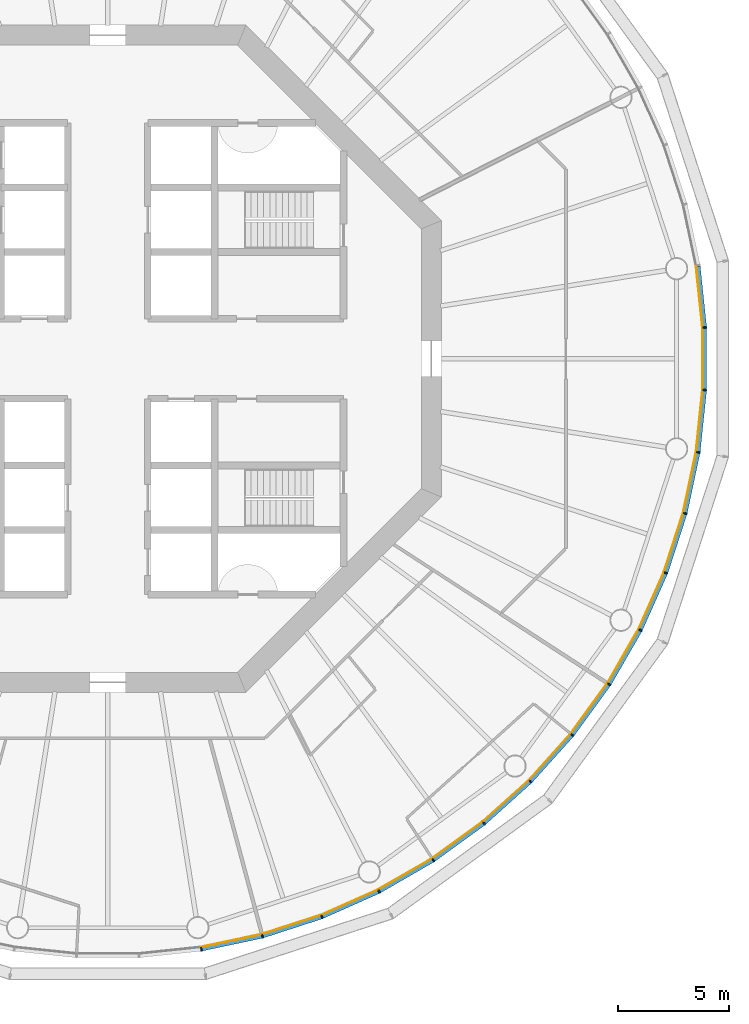
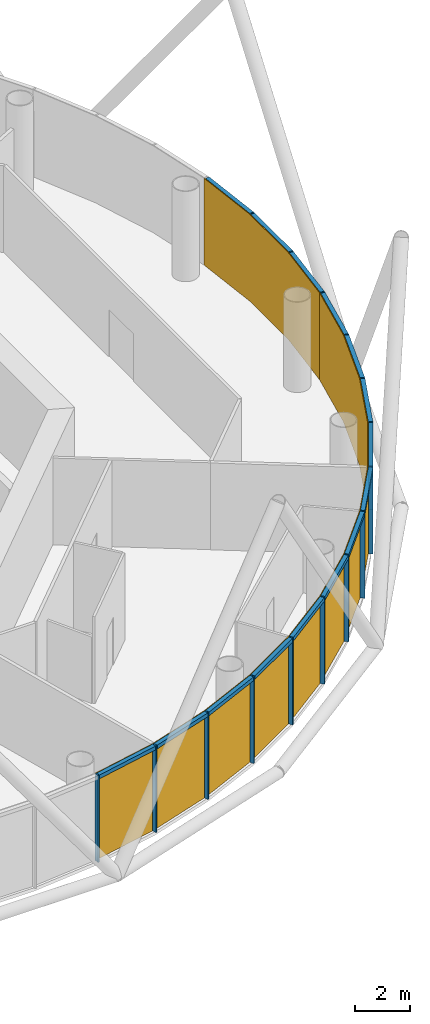
# One storey, part 9 of 13: 30 members, 5 curtain walls.
"""IFC4 building model written with IfcOpenShell, lengths in metres."""

from ifc_helpers import new_model, si_unit, direction, frame, origin, origin_2d, place, context, subcontext, project, spatial, polyline, rectangle, outline, extrude, material, layer, layer_set, material_profile, profile_set, type_object, element, aggregate, save


model = new_model("IFC4")

# Units and contexts
model_context = context("Model", 3, precision=1e-05, world=origin(), true_north=direction((0.0, 1.0)))
body_context = subcontext(model_context, "Body", "Model", "MODEL_VIEW")
ifc_project = project(units=[si_unit("LENGTHUNIT", "METRE"), si_unit("AREAUNIT", "SQUARE_METRE"), si_unit("VOLUMEUNIT", "CUBIC_METRE"), si_unit("PLANEANGLEUNIT", "RADIAN"), si_unit("MASSUNIT", "GRAM", prefix="KILO")], contexts=[model_context])

# Member
ifc_material_1 = material(Name="Anodised aluminium", Category="aluminium")
ifc_material_profile_1 = material_profile(ifc_material_1, rectangle(XDim=0.06005859375, YDim=0.169921875, at=origin_2d()), Name="Mullion 60 x 170 mm anodised aluminium")
ifc_profile_set_1 = profile_set([ifc_material_profile_1], Name="Anodised aluminium")
member_type_1 = type_object("IfcMemberType", Name="Mullion 60 x 170 mm anodised aluminium", PredefinedType="MULLION", material=ifc_profile_set_1)
site_placement = place(None, origin())
building_placement = place(site_placement, origin())
storey_placement = place(building_placement, frame((0.0, 0.0, 218.0)))
member_1_placement = place(storey_placement, frame((94.205810546875, 53.446044921875, 0.0), z_axis=(0.0, 0.0, 1.0), x_axis=(0.987688340595, 0.15643446504, 0.0)))
member_1 = element("IfcMember", 1, at=member_1_placement, type_object=member_type_1, Name="MULLION L50-45", PredefinedType="MULLION", context=body_context, shape_type="SweptSolid", body=[
    extrude(rectangle(XDim=0.06005859375, YDim=0.169921875, at=origin_2d()), origin(), (0.0, 0.0, 1.0), 3.85009765625),
])

member_2_placement = place(storey_placement, frame((96.958251953125, 54.031005859375, 0.0), z_axis=(0.0, 0.0, 1.0), x_axis=(0.965925826289, 0.258819045103, 0.0)))
member_2 = element("IfcMember", 2, at=member_2_placement, type_object=member_type_1, Name="MULLION L50-46", PredefinedType="MULLION", context=body_context, shape_type="SweptSolid", body=[
    extrude(rectangle(XDim=0.06005859375, YDim=0.169921875, at=origin_2d()), origin(), (0.0, 0.0, 1.0), 3.85009765625),
])

member_3_placement = place(storey_placement, frame((99.634765625, 54.900634765625, 0.0), z_axis=(0.0, 0.0, 1.0), x_axis=(0.933580426497, 0.358367949545, 0.0)))
member_3 = element("IfcMember", 3, at=member_3_placement, type_object=member_type_1, Name="MULLION L50-47", PredefinedType="MULLION", context=body_context, shape_type="SweptSolid", body=[
    extrude(rectangle(XDim=0.06005859375, YDim=0.169921875, at=origin_2d()), origin(), (0.0, 0.0, 1.0), 3.85009765625),
])

member_4_placement = place(storey_placement, frame((102.20556640625, 56.04541015625, 0.0), z_axis=(0.0, 0.0, 1.0), x_axis=(0.891006524188, 0.45399049974, 0.0)))
member_4 = element("IfcMember", 4, at=member_4_placement, type_object=member_type_1, Name="MULLION L50-48", PredefinedType="MULLION", context=body_context, shape_type="SweptSolid", body=[
    extrude(rectangle(XDim=0.06005859375, YDim=0.169921875, at=origin_2d()), origin(), (0.0, 0.0, 1.0), 3.85009765625),
])

member_5_placement = place(storey_placement, frame((104.642578125, 57.452392578125, 0.0), z_axis=(0.0, 0.0, 1.0), x_axis=(0.838670567945, 0.544639035015, 0.0)))
member_5 = element("IfcMember", 5, at=member_5_placement, type_object=member_type_1, Name="MULLION L50-49", PredefinedType="MULLION", context=body_context, shape_type="SweptSolid", body=[
    extrude(rectangle(XDim=0.06005859375, YDim=0.169921875, at=origin_2d()), origin(), (0.0, 0.0, 1.0), 3.85009765625),
])

member_6_placement = place(storey_placement, frame((106.919189453125, 59.1064453125, 0.0), z_axis=(0.0, 0.0, 1.0), x_axis=(0.777145961457, 0.62932039105, 0.0)))
member_6 = element("IfcMember", 6, at=member_6_placement, type_object=member_type_1, Name="MULLION L50-50", PredefinedType="MULLION", context=body_context, shape_type="SweptSolid", body=[
    extrude(rectangle(XDim=0.06005859375, YDim=0.169921875, at=origin_2d()), origin(), (0.0, 0.0, 1.0), 3.85009765625),
])

member_7_placement = place(storey_placement, frame((109.010498046875, 60.989501953125, 0.0), z_axis=(0.0, 0.0, 1.0), x_axis=(0.707106781187, 0.707106781187, 0.0)))
member_7 = element("IfcMember", 7, at=member_7_placement, type_object=member_type_1, Name="MULLION L50-51", PredefinedType="MULLION", context=body_context, shape_type="SweptSolid", body=[
    extrude(rectangle(XDim=0.06005859375, YDim=0.169921875, at=origin_2d()), origin(), (0.0, 0.0, 1.0), 3.85009765625),
])

member_8_placement = place(storey_placement, frame((110.8935546875, 63.080810546875, 0.0), z_axis=(0.0, 0.0, 1.0), x_axis=(0.62932039105, 0.777145961457, 0.0)))
member_8 = element("IfcMember", 8, at=member_8_placement, type_object=member_type_1, Name="MULLION L50-52", PredefinedType="MULLION", context=body_context, shape_type="SweptSolid", body=[
    extrude(rectangle(XDim=0.06005859375, YDim=0.169921875, at=origin_2d()), origin(), (0.0, 0.0, 1.0), 3.85009765625),
])

member_9_placement = place(storey_placement, frame((112.547607421875, 65.357421875, 0.0), z_axis=(0.0, 0.0, 1.0), x_axis=(0.544639035015, 0.838670567945, 0.0)))
member_9 = element("IfcMember", 9, at=member_9_placement, type_object=member_type_1, Name="MULLION L50-53", PredefinedType="MULLION", context=body_context, shape_type="SweptSolid", body=[
    extrude(rectangle(XDim=0.06005859375, YDim=0.169921875, at=origin_2d()), origin(), (0.0, 0.0, 1.0), 3.85009765625),
])

member_10_placement = place(storey_placement, frame((113.95458984375, 67.79443359375, 0.0), z_axis=(0.0, 0.0, 1.0), x_axis=(0.45399049974, 0.891006524188, 0.0)))
member_10 = element("IfcMember", 10, at=member_10_placement, type_object=member_type_1, Name="MULLION L50-54", PredefinedType="MULLION", context=body_context, shape_type="SweptSolid", body=[
    extrude(rectangle(XDim=0.06005859375, YDim=0.169921875, at=origin_2d()), origin(), (0.0, 0.0, 1.0), 3.85009765625),
])

member_11_placement = place(storey_placement, frame((115.099365234375, 70.365234375, 0.0), z_axis=(0.0, 0.0, 1.0), x_axis=(0.358367949545, 0.933580426497, 0.0)))
member_11 = element("IfcMember", 11, at=member_11_placement, type_object=member_type_1, Name="MULLION L50-55", PredefinedType="MULLION", context=body_context, shape_type="SweptSolid", body=[
    extrude(rectangle(XDim=0.06005859375, YDim=0.169921875, at=origin_2d()), origin(), (0.0, 0.0, 1.0), 3.85009765625),
])

member_12_placement = place(storey_placement, frame((115.968994140625, 73.041748046875, 0.0), z_axis=(0.0, 0.0, 1.0), x_axis=(0.258819045103, 0.965925826289, 0.0)))
member_12 = element("IfcMember", 12, at=member_12_placement, type_object=member_type_1, Name="MULLION L50-56", PredefinedType="MULLION", context=body_context, shape_type="SweptSolid", body=[
    extrude(rectangle(XDim=0.06005859375, YDim=0.169921875, at=origin_2d()), origin(), (0.0, 0.0, 1.0), 3.85009765625),
])

member_13_placement = place(storey_placement, frame((116.553955078125, 75.794189453125, 0.0), z_axis=(0.0, 0.0, 1.0), x_axis=(0.15643446504, 0.987688340595, 0.0)))
member_13 = element("IfcMember", 13, at=member_13_placement, type_object=member_type_1, Name="MULLION L50-57", PredefinedType="MULLION", context=body_context, shape_type="SweptSolid", body=[
    extrude(rectangle(XDim=0.06005859375, YDim=0.169921875, at=origin_2d()), origin(), (0.0, 0.0, 1.0), 3.85009765625),
])

member_14_placement = place(storey_placement, frame((116.84814453125, 78.593017578125, 0.0), z_axis=(0.0, 0.0, 1.0), x_axis=(0.052335956243, 0.998629534755, 0.0)))
member_14 = element("IfcMember", 14, at=member_14_placement, type_object=member_type_1, Name="MULLION L50-58", PredefinedType="MULLION", context=body_context, shape_type="SweptSolid", body=[
    extrude(rectangle(XDim=0.06005859375, YDim=0.169921875, at=origin_2d()), origin(), (0.0, 0.0, 1.0), 3.85009765625),
])

member_15_placement = place(storey_placement, frame((116.84814453125, 81.406982421875, 0.0), z_axis=(0.0, 0.0, 1.0), x_axis=(-0.052335956243, 0.998629534755, 0.0)))
member_15 = element("IfcMember", 15, at=member_15_placement, type_object=member_type_1, Name="MULLION L50-59", PredefinedType="MULLION", context=body_context, shape_type="SweptSolid", body=[
    extrude(rectangle(XDim=0.06005859375, YDim=0.169921875, at=origin_2d()), origin(), (0.0, 0.0, 1.0), 3.85009765625),
])

ifc_material_2 = material(Name="Anodised aluminium", Category="aluminium")
ifc_material_profile_2 = material_profile(ifc_material_2, rectangle(XDim=0.169921875, YDim=0.1650390625, at=origin_2d()), Name="Transom 165 x 170 mm anodised aluminium")
ifc_profile_set_2 = profile_set([ifc_material_profile_2], Name="Anodised aluminium")
member_type_2 = type_object("IfcMemberType", Name="Transom 165 x 170 mm anodised aluminium", PredefinedType="USERDEFINED", material=ifc_profile_set_2)
member_16_placement = place(storey_placement, frame((94.239501953125, 53.453125, 3.767578125), z_axis=(0.97814212115, 0.207937468562, 0.0), x_axis=(-0.207937468562, 0.97814212115, 0.0)))
member_16 = element("IfcMember", 16, at=member_16_placement, type_object=member_type_2, Name="TRANSOM L50-45", ObjectType="TRANSOM", PredefinedType="USERDEFINED", context=body_context, shape_type="SweptSolid", body=[
    extrude(rectangle(XDim=0.169921875, YDim=0.1650390625, at=origin_2d()), origin(), (0.0, 0.0, 1.0), 2.7451171875),
])

member_17_placement = place(storey_placement, frame((96.9912109375, 54.04150390625, 3.767578125), z_axis=(0.951048445774, 0.309041831781, 0.0), x_axis=(-0.309041831781, 0.951048445774, 0.0)))
member_17 = element("IfcMember", 17, at=member_17_placement, type_object=member_type_2, Name="TRANSOM L50-46", ObjectType="TRANSOM", PredefinedType="USERDEFINED", context=body_context, shape_type="SweptSolid", body=[
    extrude(rectangle(XDim=0.169921875, YDim=0.1650390625, at=origin_2d()), origin(), (0.0, 0.0, 1.0), 2.7451171875),
])

member_18_placement = place(storey_placement, frame((99.666259765625, 54.91455078125, 3.767578125), z_axis=(0.913525267704, 0.406781987391, 0.0), x_axis=(-0.406781987391, 0.913525267704, 0.0)))
member_18 = element("IfcMember", 18, at=member_18_placement, type_object=member_type_2, Name="TRANSOM L50-47", ObjectType="TRANSOM", PredefinedType="USERDEFINED", context=body_context, shape_type="SweptSolid", body=[
    extrude(rectangle(XDim=0.169921875, YDim=0.1650390625, at=origin_2d()), origin(), (0.0, 0.0, 1.0), 2.7451171875),
])

member_19_placement = place(storey_placement, frame((102.2353515625, 56.0625, 3.767578125), z_axis=(0.866034527326, 0.49998419723, 0.0), x_axis=(-0.49998419723, 0.866034527326, 0.0)))
member_19 = element("IfcMember", 19, at=member_19_placement, type_object=member_type_2, Name="TRANSOM L50-48", ObjectType="TRANSOM", PredefinedType="USERDEFINED", context=body_context, shape_type="SweptSolid", body=[
    extrude(rectangle(XDim=0.169921875, YDim=0.1650390625, at=origin_2d()), origin(), (0.0, 0.0, 1.0), 2.7451171875),
])

member_20_placement = place(storey_placement, frame((104.670654296875, 57.472412109375, 3.767578125), z_axis=(0.808959086484, 0.587864947412, 0.0), x_axis=(-0.587864947412, 0.808959086484, 0.0)))
member_20 = element("IfcMember", 20, at=member_20_placement, type_object=member_type_2, Name="TRANSOM L50-49", ObjectType="TRANSOM", PredefinedType="USERDEFINED", context=body_context, shape_type="SweptSolid", body=[
    extrude(rectangle(XDim=0.169921875, YDim=0.1650390625, at=origin_2d()), origin(), (0.0, 0.0, 1.0), 2.7451171875),
])

member_21_placement = place(storey_placement, frame((106.945068359375, 59.12939453125, 3.767578125), z_axis=(0.743134927907, 0.669141598561, 0.0), x_axis=(-0.669141598561, 0.743134927907, 0.0)))
member_21 = element("IfcMember", 21, at=member_21_placement, type_object=member_type_2, Name="TRANSOM L50-50", ObjectType="TRANSOM", PredefinedType="USERDEFINED", context=body_context, shape_type="SweptSolid", body=[
    extrude(rectangle(XDim=0.169921875, YDim=0.1650390625, at=origin_2d()), origin(), (0.0, 0.0, 1.0), 2.7451171875),
])

member_22_placement = place(storey_placement, frame((109.03369140625, 61.014892578125, 3.767578125), z_axis=(0.669141598561, 0.743134927907, 0.0), x_axis=(-0.743134927907, 0.669141598561, 0.0)))
member_22 = element("IfcMember", 22, at=member_22_placement, type_object=member_type_2, Name="TRANSOM L50-51", ObjectType="TRANSOM", PredefinedType="USERDEFINED", context=body_context, shape_type="SweptSolid", body=[
    extrude(rectangle(XDim=0.169921875, YDim=0.1650390625, at=origin_2d()), origin(), (0.0, 0.0, 1.0), 2.7451171875),
])

member_23_placement = place(storey_placement, frame((110.913818359375, 63.108642578125, 3.767578125), z_axis=(0.587864947412, 0.808959086484, 0.0), x_axis=(-0.808959086484, 0.587864947412, 0.0)))
member_23 = element("IfcMember", 23, at=member_23_placement, type_object=member_type_2, Name="TRANSOM L50-52", ObjectType="TRANSOM", PredefinedType="USERDEFINED", context=body_context, shape_type="SweptSolid", body=[
    extrude(rectangle(XDim=0.169921875, YDim=0.1650390625, at=origin_2d()), origin(), (0.0, 0.0, 1.0), 2.7451171875),
])

member_24_placement = place(storey_placement, frame((112.56494140625, 65.38720703125, 3.767578125), z_axis=(0.49998419723, 0.866034527326, 0.0), x_axis=(-0.866034527326, 0.49998419723, 0.0)))
member_24 = element("IfcMember", 24, at=member_24_placement, type_object=member_type_2, Name="TRANSOM L50-53", ObjectType="TRANSOM", PredefinedType="USERDEFINED", context=body_context, shape_type="SweptSolid", body=[
    extrude(rectangle(XDim=0.169921875, YDim=0.1650390625, at=origin_2d()), origin(), (0.0, 0.0, 1.0), 2.7451171875),
])

member_25_placement = place(storey_placement, frame((113.96875, 67.825927734375, 3.767578125), z_axis=(0.406781987391, 0.913525267704, 0.0), x_axis=(-0.913525267704, 0.406781987391, 0.0)))
member_25 = element("IfcMember", 25, at=member_25_placement, type_object=member_type_2, Name="TRANSOM L50-54", ObjectType="TRANSOM", PredefinedType="USERDEFINED", context=body_context, shape_type="SweptSolid", body=[
    extrude(rectangle(XDim=0.169921875, YDim=0.1650390625, at=origin_2d()), origin(), (0.0, 0.0, 1.0), 2.7451171875),
])

member_26_placement = place(storey_placement, frame((115.110107421875, 70.39794921875, 3.767578125), z_axis=(0.309041831781, 0.951048445774, 0.0), x_axis=(-0.951048445774, 0.309041831781, 0.0)))
member_26 = element("IfcMember", 26, at=member_26_placement, type_object=member_type_2, Name="TRANSOM L50-55", ObjectType="TRANSOM", PredefinedType="USERDEFINED", context=body_context, shape_type="SweptSolid", body=[
    extrude(rectangle(XDim=0.169921875, YDim=0.1650390625, at=origin_2d()), origin(), (0.0, 0.0, 1.0), 2.7451171875),
])

member_27_placement = place(storey_placement, frame((115.97607421875, 73.075439453125, 3.767578125), z_axis=(0.207937468562, 0.97814212115, 0.0), x_axis=(-0.97814212115, 0.207937468562, 0.0)))
member_27 = element("IfcMember", 27, at=member_27_placement, type_object=member_type_2, Name="TRANSOM L50-56", ObjectType="TRANSOM", PredefinedType="USERDEFINED", context=body_context, shape_type="SweptSolid", body=[
    extrude(rectangle(XDim=0.169921875, YDim=0.1650390625, at=origin_2d()), origin(), (0.0, 0.0, 1.0), 2.7451171875),
])

member_28_placement = place(storey_placement, frame((116.5576171875, 75.82861328125, 3.767578125), z_axis=(0.104592190102, 0.994515195344, 0.0), x_axis=(-0.994515195344, 0.104592190102, 0.0)))
member_28 = element("IfcMember", 28, at=member_28_placement, type_object=member_type_2, Name="TRANSOM L50-57", ObjectType="TRANSOM", PredefinedType="USERDEFINED", context=body_context, shape_type="SweptSolid", body=[
    extrude(rectangle(XDim=0.169921875, YDim=0.1650390625, at=origin_2d()), origin(), (0.0, 0.0, 1.0), 2.7451171875),
])

member_29_placement = place(storey_placement, frame((116.848388671875, 78.62744140625, 3.767578125), z_axis=(0.0, 1.0, 0.0), x_axis=(-1.0, 0.0, 0.0)))
member_29 = element("IfcMember", 29, at=member_29_placement, type_object=member_type_2, Name="TRANSOM L50-58", ObjectType="TRANSOM", PredefinedType="USERDEFINED", context=body_context, shape_type="SweptSolid", body=[
    extrude(rectangle(XDim=0.169921875, YDim=0.1650390625, at=origin_2d()), origin(), (0.0, 0.0, 1.0), 2.7451171875),
])

member_30_placement = place(storey_placement, frame((116.8447265625, 81.44140625, 3.767578125), z_axis=(-0.104592190102, 0.994515195344, 0.0), x_axis=(-0.994515195344, -0.104592190102, 0.0)))
member_30 = element("IfcMember", 30, at=member_30_placement, type_object=member_type_2, Name="TRANSOM L50-59", ObjectType="TRANSOM", PredefinedType="USERDEFINED", context=body_context, shape_type="SweptSolid", body=[
    extrude(rectangle(XDim=0.169921875, YDim=0.1650390625, at=origin_2d()), origin(), (0.0, 0.0, 1.0), 2.7451171875),
])

# Site, building, storey
site = spatial("IfcSite", under=ifc_project, at=site_placement, CompositionType="ELEMENT")
building = spatial("IfcBuilding", under=site, at=building_placement, Name="Entoto Ring Tower", CompositionType="ELEMENT")
storey = spatial("IfcBuildingStorey", under=building, at=storey_placement, Name="L50", CompositionType="ELEMENT", Elevation=218.0)

# Curtain wall
ifc_material_3 = material(Name="Clear low-iron glass", Category="glass")
ifc_layer = layer(ifc_material_3, 0.031982421875)
ifc_layer_set = layer_set([ifc_layer], Name="Clear low-iron glass")
curtain_wall_type = type_object("IfcCurtainWallType", Name="Curtain wall system CW4 glazing 32 mm", PredefinedType="NOTDEFINED", material=ifc_layer_set)
curtain_wall_1_placement = place(storey_placement, origin())
curtain_wall_1 = element("IfcCurtainWall", 31, at=curtain_wall_1_placement, inside=storey, type_object=curtain_wall_type, Name="CW4 L50-16", PredefinedType="NOTDEFINED", context=body_context, shape_type="SweptSolid", body=[
    extrude(outline(polyline([(94.1923828125, 53.530029296875), (96.936279296875, 54.11328125), (99.604248046875, 54.97998046875), (102.1669921875, 56.12109375), (102.15234375, 56.149658203125), (99.5927734375, 55.010009765625), (96.927978515625, 54.14404296875), (94.1875, 53.5615234375), (94.1923828125, 53.530029296875)])), origin(), (0.0, 0.0, 1.0), 3.85009765625),
])

aggregate(curtain_wall_1, [member_1, member_2, member_3, member_16, member_17, member_18])

curtain_wall_2_placement = place(storey_placement, origin())
curtain_wall_2 = element("IfcCurtainWall", 32, at=curtain_wall_2_placement, inside=storey, type_object=curtain_wall_type, Name="CW4 L50-17", PredefinedType="NOTDEFINED", context=body_context, shape_type="SweptSolid", body=[
    extrude(outline(polyline([(102.1669921875, 56.12109375), (104.596435546875, 57.523681640625), (106.86572265625, 59.172607421875), (108.950439453125, 61.049560546875), (108.927734375, 61.072265625), (106.845703125, 59.197509765625), (104.578857421875, 57.550537109375), (102.15234375, 56.149658203125), (102.1669921875, 56.12109375)])), origin(), (0.0, 0.0, 1.0), 3.85009765625),
])

aggregate(curtain_wall_2, [member_4, member_5, member_6, member_19, member_20, member_21])

curtain_wall_3_placement = place(storey_placement, origin())
curtain_wall_3 = element("IfcCurtainWall", 33, at=curtain_wall_3_placement, inside=storey, type_object=curtain_wall_type, Name="CW4 L50-18", PredefinedType="NOTDEFINED", context=body_context, shape_type="SweptSolid", body=[
    extrude(outline(polyline([(108.950439453125, 61.049560546875), (110.827392578125, 63.13427734375), (112.476318359375, 65.403564453125), (113.87890625, 67.8330078125), (113.850341796875, 67.84765625), (112.449462890625, 65.421142578125), (110.802490234375, 63.154296875), (108.927734375, 61.072265625), (108.950439453125, 61.049560546875)])), origin(), (0.0, 0.0, 1.0), 3.85009765625),
])

aggregate(curtain_wall_3, [member_7, member_8, member_9, member_22, member_23, member_24])

curtain_wall_4_placement = place(storey_placement, origin())
curtain_wall_4 = element("IfcCurtainWall", 34, at=curtain_wall_4_placement, inside=storey, type_object=curtain_wall_type, Name="CW4 L50-19", PredefinedType="NOTDEFINED", context=body_context, shape_type="SweptSolid", body=[
    extrude(outline(polyline([(113.87890625, 67.8330078125), (115.02001953125, 70.395751953125), (115.88671875, 73.063720703125), (116.469970703125, 75.8076171875), (116.4384765625, 75.8125), (115.85595703125, 73.072021484375), (114.989990234375, 70.4072265625), (113.850341796875, 67.84765625), (113.87890625, 67.8330078125)])), origin(), (0.0, 0.0, 1.0), 3.85009765625),
])

aggregate(curtain_wall_4, [member_10, member_11, member_12, member_25, member_26, member_27])

curtain_wall_5_placement = place(storey_placement, origin())
curtain_wall_5 = element("IfcCurtainWall", 35, at=curtain_wall_5_placement, inside=storey, type_object=curtain_wall_type, Name="CW4 L50-20", PredefinedType="NOTDEFINED", context=body_context, shape_type="SweptSolid", body=[
    extrude(outline(polyline([(116.469970703125, 75.8076171875), (116.76318359375, 78.597412109375), (116.76318359375, 81.402587890625), (116.469970703125, 84.1923828125), (116.4384765625, 84.1875), (116.731201171875, 81.40087890625), (116.731201171875, 78.59912109375), (116.4384765625, 75.8125), (116.469970703125, 75.8076171875)])), origin(), (0.0, 0.0, 1.0), 3.85009765625),
])

aggregate(curtain_wall_5, [member_13, member_14, member_15, member_28, member_29, member_30])

save(model, "model.ifc")
